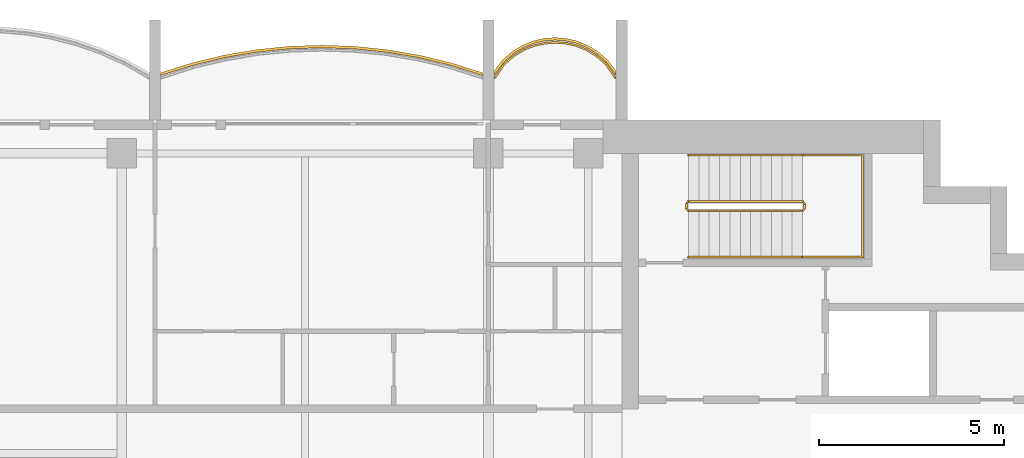
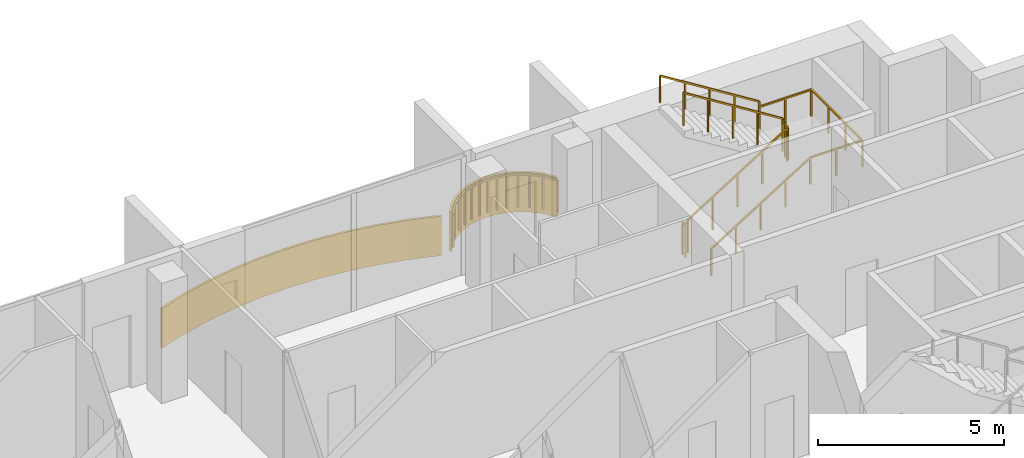
# One storey, part 16 of 16: 3 railings, 2 coverings.
"""IFC4 building model written with IfcOpenShell, lengths in metres."""

from ifc_helpers import new_model, si_unit, direction, frame, origin, origin_2d, place, context, subcontext, project, spatial, polyline, rectangle, outline, extrude, material, layer, layer_set, type_object, element, save


model = new_model("IFC4")

# Units and contexts
model_context = context("Model", 3, precision=1e-05, world=origin(), true_north=direction((0.0, 1.0)))
body_context = subcontext(model_context, "Body", "Model", "MODEL_VIEW")
ifc_project = project(units=[si_unit("LENGTHUNIT", "METRE"), si_unit("AREAUNIT", "SQUARE_METRE"), si_unit("VOLUMEUNIT", "CUBIC_METRE"), si_unit("PLANEANGLEUNIT", "RADIAN"), si_unit("MASSUNIT", "GRAM", prefix="KILO")], contexts=[model_context])

# Site, building, storey
site_placement = place(None, origin())
site = spatial("IfcSite", under=ifc_project, at=site_placement, CompositionType="ELEMENT")
building_placement = place(site_placement, origin())
building = spatial("IfcBuilding", under=site, at=building_placement, Name="Perihelion Cross Residences", CompositionType="ELEMENT")
storey_placement = place(building_placement, frame((0.0, 0.0, 294.60009765625)))
storey = spatial("IfcBuildingStorey", under=building, at=storey_placement, Name="L75", CompositionType="ELEMENT", Elevation=294.60009765625)

# Coverings
ifc_material_1 = material(Name="Bronze anodised aluminium", Category="aluminium")
ifc_layer = layer(ifc_material_1, 0.070068359375)
ifc_layer_set = layer_set([ifc_layer], Name="Balcony fascia 1300")
covering_type = type_object("IfcCoveringType", Name="Balcony fascia 1300", PredefinedType="CLADDING", material=ifc_layer_set)
covering_1_placement = place(storey_placement, frame((0.0, 0.0, -0.2001953125)))
element("IfcCovering", 1, at=covering_1_placement, inside=storey, type_object=covering_type, Name="Fascia BF1 L75 east side north bay 1", PredefinedType="CLADDING", context=body_context, shape_type="SweptSolid", body=[
    extrude(outline(polyline([(21.226318359375, 10.616455078125), (20.94091796875, 10.86328125), (20.655517578125, 11.031494140625), (20.370361328125, 11.142578125), (20.085205078125, 11.206298828125), (19.800048828125, 11.22705078125), (19.514892578125, 11.206298828125), (19.229736328125, 11.142578125), (18.9443359375, 11.031494140625), (18.6591796875, 10.86328125), (18.373779296875, 10.616455078125), (18.14990234375, 10.31689453125), (18.14990234375, 10.199951171875), (18.425048828125, 10.568603515625), (18.699951171875, 10.806396484375), (18.97509765625, 10.96875), (19.25, 11.07568359375), (19.52490234375, 11.136962890625), (19.800048828125, 11.156982421875), (20.074951171875, 11.136962890625), (20.35009765625, 11.07568359375), (20.625, 10.96875), (20.89990234375, 10.806396484375), (21.175048828125, 10.568603515625), (21.449951171875, 10.199951171875), (21.449951171875, 10.31689453125), (21.226318359375, 10.616455078125)])), origin(), (0.0, 0.0, 1.0), 1.300048828125),
])
covering_2_placement = place(storey_placement, frame((0.0, 0.0, -0.2001953125)))
element("IfcCovering", 2, at=covering_2_placement, inside=storey, type_object=covering_type, Name="Fascia BF1 L75 east side north bay 2", PredefinedType="CLADDING", context=body_context, shape_type="SweptSolid", body=[
    extrude(outline(polyline([(16.998779296875, 10.542724609375), (16.1240234375, 10.753662109375), (15.249267578125, 10.90234375), (14.374755859375, 10.99072265625), (13.5, 11.02001953125), (12.625244140625, 10.99072265625), (11.750732421875, 10.90234375), (10.8759765625, 10.753662109375), (10.001220703125, 10.542724609375), (9.14990234375, 10.2734375), (9.14990234375, 10.199951171875), (10.02001953125, 10.47509765625), (10.889892578125, 10.68505859375), (11.760009765625, 10.8330078125), (12.6298828125, 10.9208984375), (13.5, 10.949951171875), (14.3701171875, 10.9208984375), (15.239990234375, 10.8330078125), (16.110107421875, 10.68505859375), (16.97998046875, 10.47509765625), (17.85009765625, 10.199951171875), (17.85009765625, 10.2734375), (16.998779296875, 10.542724609375)])), origin(), (0.0, 0.0, 1.0), 1.300048828125),
])

# Railings
ifc_material_2 = material(Name="Bronze anodised aluminium", Category="aluminium")
railing_type_1 = type_object("IfcRailingType", Name="Balcony guard 1100", PredefinedType="GUARDRAIL", material=ifc_material_2)
railing_1_placement = place(storey_placement, frame((21.425048828125, 10.139892578125, 0.0)))
element("IfcRailing", 3, at=railing_1_placement, inside=storey, type_object=railing_type_1, Name="Guard GU1 L75 east side north bay 1 balcony", PredefinedType="GUARDRAIL", context=body_context, shape_type="SweptSolid", body=[
    extrude(rectangle(XDim=0.048095703125, YDim=0.048095703125, at=origin_2d()), frame((0.0, 0.0, 1.076171875), z_axis=(-0.561260132269, 0.827639452857, 0.0), x_axis=(-0.827639452857, -0.561260132269, 0.0)), (0.0, 0.0, 1.0), 0.4453125),
    extrude(rectangle(XDim=0.048095703125, YDim=0.048095703125, at=origin_2d()), frame((-0.25, 0.36865234375, 1.076171875), z_axis=(-0.756596535164, 0.653882009982, 0.0), x_axis=(-0.653882009982, -0.756596535164, 0.0)), (0.0, 0.0, 1.0), 0.36376953125),
    extrude(rectangle(XDim=0.048095703125, YDim=0.048095703125, at=origin_2d()), frame((-0.525146484375, 0.6064453125, 1.076171875), z_axis=(-0.861048292884, 0.508523192511, 0.0), x_axis=(-0.508523192511, -0.861048292884, 0.0)), (0.0, 0.0, 1.0), 0.3193359375),
    extrude(rectangle(XDim=0.048095703125, YDim=0.048095703125, at=origin_2d()), frame((-0.800048828125, 0.768798828125, 1.076171875), z_axis=(-0.931973602183, 0.362526143656, 0.0), x_axis=(-0.362526143656, -0.931973602183, 0.0)), (0.0, 0.0, 1.0), 0.294921875),
    extrude(rectangle(XDim=0.048095703125, YDim=0.048095703125, at=origin_2d()), frame((-1.074951171875, 0.875732421875, 1.076171875), z_axis=(-0.976085059389, 0.21738895289, 0.0), x_axis=(-0.21738895289, -0.976085059389, 0.0)), (0.0, 0.0, 1.0), 0.281982421875),
    extrude(rectangle(XDim=0.048095703125, YDim=0.048095703125, at=origin_2d()), frame((-1.35009765625, 0.93701171875, 1.076171875), z_axis=(-0.997358821833, 0.072631814734, 0.0), x_axis=(-0.072631814734, -0.997358821833, 0.0)), (0.0, 0.0, 1.0), 0.275634765625),
    extrude(rectangle(XDim=0.048095703125, YDim=0.048095703125, at=origin_2d()), frame((-1.625, 0.95703125, 1.076171875), z_axis=(-0.997363488337, -0.072567707226, 0.0), x_axis=(0.072567707226, -0.997363488337, 0.0)), (0.0, 0.0, 1.0), 0.27587890625),
    extrude(rectangle(XDim=0.048095703125, YDim=0.048095703125, at=origin_2d()), frame((-1.900146484375, 0.93701171875, 1.076171875), z_axis=(-0.976044077717, -0.217572880557, 0.0), x_axis=(0.217572880557, -0.976044077717, 0.0)), (0.0, 0.0, 1.0), 0.28173828125),
    extrude(rectangle(XDim=0.048095703125, YDim=0.048095703125, at=origin_2d()), frame((-2.175048828125, 0.875732421875, 1.076171875), z_axis=(-0.931973602183, -0.362526143656, 0.0), x_axis=(0.362526143656, -0.931973602183, 0.0)), (0.0, 0.0, 1.0), 0.294921875),
    extrude(rectangle(XDim=0.048095703125, YDim=0.048095703125, at=origin_2d()), frame((-2.449951171875, 0.768798828125, 1.076171875), z_axis=(-0.861245845072, -0.508188542123, 0.0), x_axis=(0.508188542123, -0.861245845072, 0.0)), (0.0, 0.0, 1.0), 0.319580078125),
    extrude(rectangle(XDim=0.048095703125, YDim=0.048095703125, at=origin_2d()), frame((-2.72509765625, 0.6064453125, 1.076171875), z_axis=(-0.756309278473, -0.654214242658, 0.0), x_axis=(0.654214242658, -0.756309278473, 0.0)), (0.0, 0.0, 1.0), 0.363525390625),
    extrude(rectangle(XDim=0.048095703125, YDim=0.048095703125, at=origin_2d()), frame((-3.0, 0.36865234375, 1.076171875), z_axis=(-0.561260132269, -0.827639452857, 0.0), x_axis=(0.827639452857, -0.561260132269, 0.0)), (0.0, 0.0, 1.0), 0.4453125),
    extrude(rectangle(XDim=0.0419921875, YDim=0.0419921875, at=origin_2d()), origin(), (0.0, 0.0, 1.0), 1.052001953125),
    extrude(rectangle(XDim=0.0419921875, YDim=0.0419921875, at=origin_2d()), frame((-0.25, 0.36865234375, 0.0)), (0.0, 0.0, 1.0), 1.052001953125),
    extrude(rectangle(XDim=0.0419921875, YDim=0.0419921875, at=origin_2d()), frame((-0.525146484375, 0.6064453125, 0.0)), (0.0, 0.0, 1.0), 1.052001953125),
    extrude(rectangle(XDim=0.0419921875, YDim=0.0419921875, at=origin_2d()), frame((-0.800048828125, 0.768798828125, 0.0)), (0.0, 0.0, 1.0), 1.052001953125),
    extrude(rectangle(XDim=0.0419921875, YDim=0.0419921875, at=origin_2d()), frame((-1.074951171875, 0.875732421875, 0.0)), (0.0, 0.0, 1.0), 1.052001953125),
    extrude(rectangle(XDim=0.0419921875, YDim=0.0419921875, at=origin_2d()), frame((-1.35009765625, 0.93701171875, 0.0)), (0.0, 0.0, 1.0), 1.052001953125),
    extrude(rectangle(XDim=0.0419921875, YDim=0.0419921875, at=origin_2d()), frame((-1.625, 0.95703125, 0.0)), (0.0, 0.0, 1.0), 1.052001953125),
    extrude(rectangle(XDim=0.0419921875, YDim=0.0419921875, at=origin_2d()), frame((-1.900146484375, 0.93701171875, 0.0)), (0.0, 0.0, 1.0), 1.052001953125),
    extrude(rectangle(XDim=0.0419921875, YDim=0.0419921875, at=origin_2d()), frame((-2.175048828125, 0.875732421875, 0.0)), (0.0, 0.0, 1.0), 1.052001953125),
    extrude(rectangle(XDim=0.0419921875, YDim=0.0419921875, at=origin_2d()), frame((-2.449951171875, 0.768798828125, 0.0)), (0.0, 0.0, 1.0), 1.052001953125),
    extrude(rectangle(XDim=0.0419921875, YDim=0.0419921875, at=origin_2d()), frame((-2.72509765625, 0.6064453125, 0.0)), (0.0, 0.0, 1.0), 1.052001953125),
    extrude(rectangle(XDim=0.0419921875, YDim=0.0419921875, at=origin_2d()), frame((-3.0, 0.36865234375, 0.0)), (0.0, 0.0, 1.0), 1.052001953125),
    extrude(rectangle(XDim=0.0419921875, YDim=0.0419921875, at=origin_2d()), frame((-3.25, 0.0, 0.0)), (0.0, 0.0, 1.0), 1.052001953125),
])
ifc_material_3 = material(Name="Stainless steel", Category="steel")
railing_type_2 = type_object("IfcRailingType", Name="Stair guard 1100", PredefinedType="GUARDRAIL", material=ifc_material_3)
railing_2_placement = place(storey_placement, frame((23.35009765625, 6.75, 0.0)))
element("IfcRailing", 4, at=railing_2_placement, inside=storey, type_object=railing_type_2, Name="L75 ST-E1 stair guard 1", PredefinedType="GUARDRAIL", context=body_context, shape_type="SweptSolid", body=[
    extrude(rectangle(XDim=0.048095703125, YDim=0.048095703125, at=origin_2d()), frame((0.0, 0.0, 1.076171875), z_axis=(0.0, -1.0, 0.0), x_axis=(1.0, 0.0, 0.0)), (0.0, 0.0, 1.0), 0.14990234375),
    extrude(rectangle(XDim=0.048095703125, YDim=0.048095703125, at=origin_2d()), frame((0.0, -0.14990234375, 1.076171875), z_axis=(0.264179342666, -0.265474339444, 0.927217692888), x_axis=(0.708833529934, 0.705375805398, 0.0)), (0.0, 0.0, 1.0), 0.1884765625),
    extrude(rectangle(XDim=0.048095703125, YDim=0.048095703125, at=origin_2d()), frame((0.0498046875, -0.199951171875, 1.2509765625), z_axis=(0.847998304005, 0.0, 0.529998940003), x_axis=(0.0, 1.0, 0.0)), (0.0, 0.0, 1.0), 3.632080078125),
    extrude(rectangle(XDim=0.048095703125, YDim=0.048095703125, at=origin_2d()), frame((3.1298828125, -0.199951171875, 3.17578125), z_axis=(0.707106781187, 0.707106781187, 0.0), x_axis=(-0.707106781187, 0.707106781187, 0.0)), (0.0, 0.0, 1.0), 0.07080078125),
    extrude(rectangle(XDim=0.048095703125, YDim=0.048095703125, at=origin_2d()), frame((3.179931640625, -0.14990234375, 3.17578125), z_axis=(0.0, 1.0, 0.0), x_axis=(-1.0, 0.0, 0.0)), (0.0, 0.0, 1.0), 0.14990234375),
    extrude(rectangle(XDim=0.048095703125, YDim=0.048095703125, at=origin_2d()), frame((3.179931640625, 0.0, 3.17578125), z_axis=(-0.265065253269, 0.265065253269, 0.927081885822), x_axis=(-0.707106781187, -0.707106781187, 0.0)), (0.0, 0.0, 1.0), 0.188720703125),
    extrude(rectangle(XDim=0.048095703125, YDim=0.048095703125, at=origin_2d()), frame((3.1298828125, 0.050048828125, 3.35107421875), z_axis=(-0.847998304005, 0.0, 0.529998940003), x_axis=(0.0, -1.0, 0.0)), (0.0, 0.0, 1.0), 3.632080078125),
    extrude(rectangle(XDim=0.0419921875, YDim=0.0419921875, at=origin_2d()), origin(), (0.0, 0.0, 1.0), 1.052001953125),
    extrude(rectangle(XDim=0.0419921875, YDim=0.0419921875, at=origin_2d()), frame((0.0, -0.14990234375, 0.0)), (0.0, 0.0, 1.0), 1.052001953125),
    extrude(rectangle(XDim=0.0419921875, YDim=0.0419921875, at=origin_2d()), frame((0.0498046875, -0.199951171875, 0.1748046875)), (0.0, 0.0, 1.0), 1.052001953125),
    extrude(rectangle(XDim=0.0419921875, YDim=0.0419921875, at=origin_2d()), frame((0.81982421875, -0.199951171875, 0.656005859375)), (0.0, 0.0, 1.0), 1.052001953125),
    extrude(rectangle(XDim=0.0419921875, YDim=0.0419921875, at=origin_2d()), frame((1.58984375, -0.199951171875, 1.13720703125)), (0.0, 0.0, 1.0), 1.052001953125),
    extrude(rectangle(XDim=0.0419921875, YDim=0.0419921875, at=origin_2d()), frame((2.35986328125, -0.199951171875, 1.61865234375)), (0.0, 0.0, 1.0), 1.052001953125),
    extrude(rectangle(XDim=0.0419921875, YDim=0.0419921875, at=origin_2d()), frame((3.1298828125, -0.199951171875, 2.099853515625)), (0.0, 0.0, 1.0), 1.052001953125),
    extrude(rectangle(XDim=0.0419921875, YDim=0.0419921875, at=origin_2d()), frame((3.179931640625, -0.14990234375, 2.099853515625)), (0.0, 0.0, 1.0), 1.052001953125),
    extrude(rectangle(XDim=0.0419921875, YDim=0.0419921875, at=origin_2d()), frame((3.179931640625, 0.0, 2.099853515625)), (0.0, 0.0, 1.0), 1.052001953125),
    extrude(rectangle(XDim=0.0419921875, YDim=0.0419921875, at=origin_2d()), frame((3.1298828125, 0.050048828125, 2.27490234375)), (0.0, 0.0, 1.0), 1.052001953125),
    extrude(rectangle(XDim=0.0419921875, YDim=0.0419921875, at=origin_2d()), frame((2.35986328125, 0.050048828125, 2.756103515625)), (0.0, 0.0, 1.0), 1.052001953125),
    extrude(rectangle(XDim=0.0419921875, YDim=0.0419921875, at=origin_2d()), frame((1.58984375, 0.050048828125, 3.2373046875)), (0.0, 0.0, 1.0), 1.052001953125),
    extrude(rectangle(XDim=0.0419921875, YDim=0.0419921875, at=origin_2d()), frame((0.81982421875, 0.050048828125, 3.71875)), (0.0, 0.0, 1.0), 1.052001953125),
    extrude(rectangle(XDim=0.0419921875, YDim=0.0419921875, at=origin_2d()), frame((0.0498046875, 0.050048828125, 4.199951171875)), (0.0, 0.0, 1.0), 1.052001953125),
])
ifc_material_4 = material(Name="Stainless steel", Category="steel")
railing_type_3 = type_object("IfcRailingType", Name="Stair handrail 900", PredefinedType="HANDRAIL", material=ifc_material_4)
railing_3_placement = place(storey_placement, frame((23.39990234375, 5.300048828125, 0.1748046875)))
element("IfcRailing", 5, at=railing_3_placement, inside=storey, type_object=railing_type_3, Name="L75 ST-E1 stair handrail 1", PredefinedType="HANDRAIL", context=body_context, shape_type="SweptSolid", body=[
    extrude(rectangle(XDim=0.048095703125, YDim=0.048095703125, at=origin_2d()), frame((0.0, 0.0, 0.8759765625), z_axis=(0.847998304005, 0.0, 0.529998940003), x_axis=(0.0, 1.0, 0.0)), (0.0, 0.0, 1.0), 3.632080078125),
    extrude(rectangle(XDim=0.048095703125, YDim=0.048095703125, at=origin_2d()), frame((3.080078125, 0.0, 2.80078125), z_axis=(1.0, 0.0, 0.0), x_axis=(0.0, 1.0, 0.0)), (0.0, 0.0, 1.0), 1.6201171875),
    extrude(rectangle(XDim=0.048095703125, YDim=0.048095703125, at=origin_2d()), frame((4.7001953125, 0.0, 2.80078125), z_axis=(0.0, 1.0, 0.0), x_axis=(-1.0, 0.0, 0.0)), (0.0, 0.0, 1.0), 2.75),
    extrude(rectangle(XDim=0.048095703125, YDim=0.048095703125, at=origin_2d()), frame((4.7001953125, 2.75, 2.80078125), z_axis=(-1.0, 0.0, 0.0), x_axis=(0.0, -1.0, 0.0)), (0.0, 0.0, 1.0), 1.6201171875),
    extrude(rectangle(XDim=0.048095703125, YDim=0.048095703125, at=origin_2d()), frame((3.080078125, 2.75, 2.80078125), z_axis=(0.0, 0.0, 1.0), x_axis=(1.0, 0.0, 0.0)), (0.0, 0.0, 1.0), 0.175048828125),
    extrude(rectangle(XDim=0.048095703125, YDim=0.048095703125, at=origin_2d()), frame((3.080078125, 2.75, 2.97607421875), z_axis=(-0.847998304005, 0.0, 0.529998940003), x_axis=(0.0, -1.0, 0.0)), (0.0, 0.0, 1.0), 3.632080078125),
    extrude(rectangle(XDim=0.0419921875, YDim=0.0419921875, at=origin_2d()), origin(), (0.0, 0.0, 1.0), 0.851806640625),
    extrude(rectangle(XDim=0.0419921875, YDim=0.0419921875, at=origin_2d()), frame((0.77001953125, 0.0, 0.481201171875)), (0.0, 0.0, 1.0), 0.851806640625),
    extrude(rectangle(XDim=0.0419921875, YDim=0.0419921875, at=origin_2d()), frame((1.5400390625, 0.0, 0.96240234375)), (0.0, 0.0, 1.0), 0.851806640625),
    extrude(rectangle(XDim=0.0419921875, YDim=0.0419921875, at=origin_2d()), frame((2.31005859375, 0.0, 1.44384765625)), (0.0, 0.0, 1.0), 0.851806640625),
    extrude(rectangle(XDim=0.0419921875, YDim=0.0419921875, at=origin_2d()), frame((3.080078125, 0.0, 1.925048828125)), (0.0, 0.0, 1.0), 0.851806640625),
    extrude(rectangle(XDim=0.0419921875, YDim=0.0419921875, at=origin_2d()), frame((3.89013671875, 0.0, 1.925048828125)), (0.0, 0.0, 1.0), 0.851806640625),
    extrude(rectangle(XDim=0.0419921875, YDim=0.0419921875, at=origin_2d()), frame((4.7001953125, 0.0, 1.925048828125)), (0.0, 0.0, 1.0), 0.851806640625),
    extrude(rectangle(XDim=0.0419921875, YDim=0.0419921875, at=origin_2d()), frame((4.7001953125, 0.916748046875, 1.925048828125)), (0.0, 0.0, 1.0), 0.851806640625),
    extrude(rectangle(XDim=0.0419921875, YDim=0.0419921875, at=origin_2d()), frame((4.7001953125, 1.833251953125, 1.925048828125)), (0.0, 0.0, 1.0), 0.851806640625),
    extrude(rectangle(XDim=0.0419921875, YDim=0.0419921875, at=origin_2d()), frame((4.7001953125, 2.75, 1.925048828125)), (0.0, 0.0, 1.0), 0.851806640625),
    extrude(rectangle(XDim=0.0419921875, YDim=0.0419921875, at=origin_2d()), frame((3.89013671875, 2.75, 1.925048828125)), (0.0, 0.0, 1.0), 0.851806640625),
    extrude(rectangle(XDim=0.0419921875, YDim=0.0419921875, at=origin_2d()), frame((3.080078125, 2.75, 1.925048828125)), (0.0, 0.0, 1.0), 0.851806640625),
    extrude(rectangle(XDim=0.0419921875, YDim=0.0419921875, at=origin_2d()), frame((3.080078125, 2.75, 2.10009765625)), (0.0, 0.0, 1.0), 0.851806640625),
    extrude(rectangle(XDim=0.0419921875, YDim=0.0419921875, at=origin_2d()), frame((2.31005859375, 2.75, 2.581298828125)), (0.0, 0.0, 1.0), 0.851806640625),
    extrude(rectangle(XDim=0.0419921875, YDim=0.0419921875, at=origin_2d()), frame((1.5400390625, 2.75, 3.0625)), (0.0, 0.0, 1.0), 0.851806640625),
    extrude(rectangle(XDim=0.0419921875, YDim=0.0419921875, at=origin_2d()), frame((0.77001953125, 2.75, 3.5439453125)), (0.0, 0.0, 1.0), 0.851806640625),
    extrude(rectangle(XDim=0.0419921875, YDim=0.0419921875, at=origin_2d()), frame((0.0, 2.75, 4.025146484375)), (0.0, 0.0, 1.0), 0.851806640625),
])

save(model, "model.ifc")
